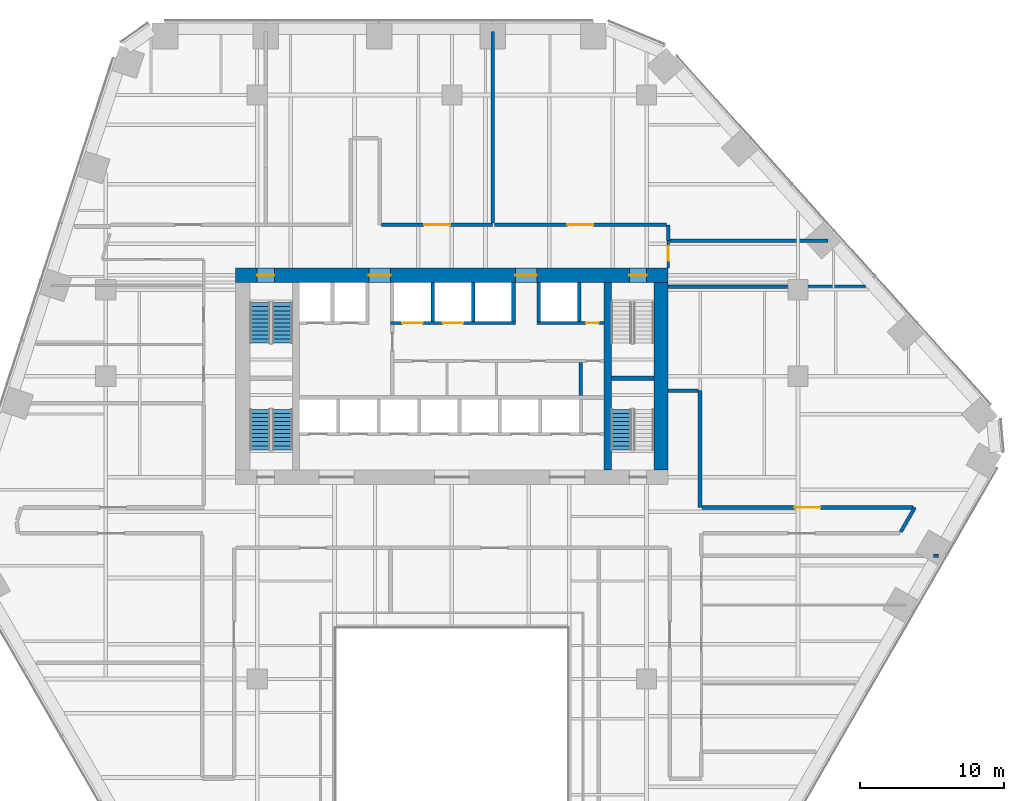
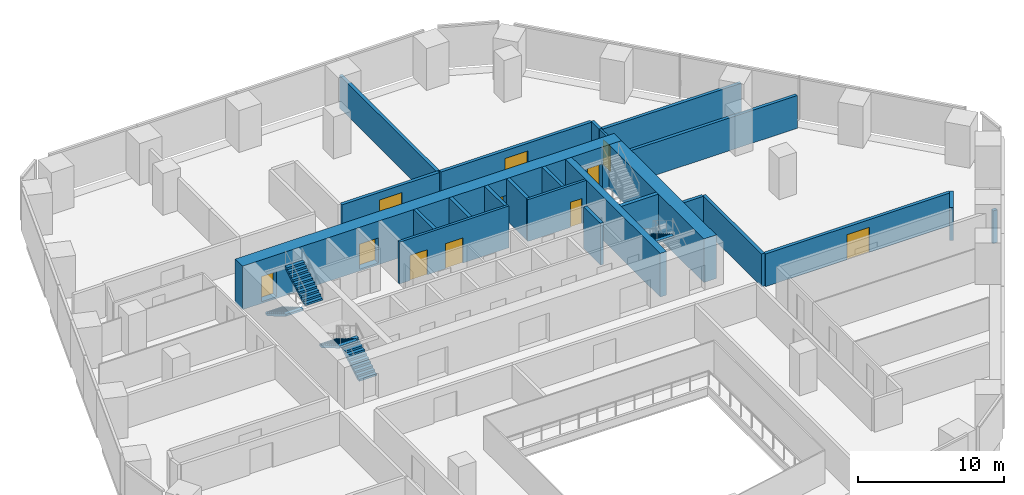
# One storey, part 16 of 20: 24 walls, 11 doors, 5 stair flights, 11 openings, 3 elements without a shape of their own.
"""IFC4 building model written with IfcOpenShell, lengths in metres."""

from ifc_helpers import new_model, si_unit, direction, frame, frame_2d, origin, place, context, subcontext, project, spatial, polyline, rectangle, outline, extrude, material, layer, layer_set, type_object, element, fill, aggregate, save


model = new_model("IFC4")

# Units and contexts
model_context = context("Model", 3, precision=1e-05, world=origin(), true_north=direction((0.0, 1.0)))
body_context = subcontext(model_context, "Body", "Model", "MODEL_VIEW")
ifc_project = project(units=[si_unit("LENGTHUNIT", "METRE"), si_unit("AREAUNIT", "SQUARE_METRE"), si_unit("VOLUMEUNIT", "CUBIC_METRE"), si_unit("PLANEANGLEUNIT", "RADIAN"), si_unit("MASSUNIT", "GRAM", prefix="KILO")], contexts=[model_context])

# Site, building, storey
site_placement = place(None, origin())
site = spatial("IfcSite", under=ifc_project, at=site_placement, CompositionType="ELEMENT")
building_placement = place(site_placement, origin())
building = spatial("IfcBuilding", under=site, at=building_placement, Name="Isthmus Gate Tower", CompositionType="ELEMENT")
storey_placement = place(building_placement, frame((0.0, 0.0, 57.89990234375)))
storey = spatial("IfcBuildingStorey", under=building, at=storey_placement, Name="L12", CompositionType="ELEMENT", Elevation=57.89990234375)

# Walls
ifc_material_1 = material(Name="Double-leaf acoustic stud wall, fire-rated", Category="gypsum")
ifc_layer_1 = layer(ifc_material_1, 0.25)
ifc_layer_set_1 = layer_set([ifc_layer_1], Name="ACOUSTIC WALL 250 60 MIN")
wall_type_1 = type_object("IfcWallType", Name="ACOUSTIC WALL 250 60 MIN", PredefinedType="PARTITIONING", material=ifc_layer_set_1)
wall_1_placement = place(storey_placement, frame((15.0, 18.0, 0.0), z_axis=(0.0, 0.0, 1.0), x_axis=(0.0, -1.0, 0.0)))
element("IfcWall", 1, at=wall_1_placement, inside=storey, type_object=wall_type_1, Name="L12 Acoustic Wall 250 60 Min", PredefinedType="PARTITIONING", context=body_context, shape_type="SweptSolid", body=[
    extrude(rectangle(XDim=1.10009765625, YDim=0.25, at=frame_2d((0.550048828125, 0.0))), origin(), (0.0, 0.0, 1.0), 2.7412109375),
])
wall_2_placement = place(storey_placement, frame((17.199951171875, 6.5, 0.0), z_axis=(0.0, 0.0, 1.0), x_axis=(0.0, -1.0, 0.0)))
element("IfcWall", 2, at=wall_2_placement, inside=storey, type_object=wall_type_1, Name="L12 Acoustic Wall 250 60 Min", PredefinedType="PARTITIONING", context=body_context, shape_type="SweptSolid", body=[
    extrude(rectangle(XDim=8.10009765625, YDim=0.25, at=frame_2d((4.050048828125, 0.0))), origin(), (0.0, 0.0, 1.0), 2.7412109375),
])
wall_3_placement = place(storey_placement, frame((32.10107421875, -1.60009765625, 0.0), z_axis=(0.0, 0.0, 1.0), x_axis=(-0.500331725305, -0.865833797362, 0.0)))
element("IfcWall", 3, at=wall_3_placement, inside=storey, type_object=wall_type_1, Name="L12 Acoustic Wall 250 60 Min", PredefinedType="PARTITIONING", context=body_context, shape_type="SweptSolid", body=[
    extrude(rectangle(XDim=1.953857421875, YDim=0.25, at=frame_2d((0.97705078125, 0.0))), origin(), (0.0, 0.0, 1.0), 2.7412109375),
])

# Wall, opening, door
wall_4_placement = place(storey_placement, frame((-4.875, 18.0, 0.0), z_axis=(0.0, 0.0, 1.0), x_axis=(1.0, 0.0, 0.0)))
wall_4 = element("IfcWall", 4, at=wall_4_placement, inside=storey, type_object=wall_type_1, Name="L12 Acoustic Wall 250 60 Min", PredefinedType="PARTITIONING", context=body_context, shape_type="SweptSolid", body=[
    extrude(rectangle(XDim=7.70703125, YDim=0.25, at=frame_2d((3.853515625, 0.0))), origin(), (0.0, 0.0, 1.0), 2.7412109375),
])
opening_1_placement = place(wall_4_placement, frame((2.95361328125, 0.0, 0.0)))
opening_1 = element("IfcOpeningElement", 5, at=opening_1_placement, cuts=wall_4, Name="Opening DT-T1C-02", PredefinedType="OPENING", context=body_context, shape_type="SweptSolid", body=[
    extrude(rectangle(XDim=1.800048828125, YDim=2.10009765625, at=frame_2d((0.89990234375, 1.050048828125))), frame((0.0, 0.135009765625, 0.0), z_axis=(0.0, -1.0, 0.0), x_axis=(1.0, 0.0, 0.0)), (0.0, 0.0, 1.0), 0.27001953125),
])
ifc_material_2 = material(Name="Solid core timber door leaf, fire-rated", Category="wood")
door_type_1 = type_object("IfcDoorType", Name="FIRE DOOR ACOUSTIC ROOM 1800 X 2100 60 MIN", OperationType="DOUBLE_DOOR_DOUBLE_SWING", PredefinedType="DOOR", material=ifc_material_2)
door_1_placement = place(opening_1_placement, origin())
door_1 = element("IfcDoor", 6, at=door_1_placement, inside=storey, type_object=door_type_1, Name="L12 room door", OperationType="DOUBLE_DOOR_DOUBLE_SWING", OverallHeight=2.10009765625, OverallWidth=1.800048828125, PredefinedType="DOOR", context=body_context, shape_type="SweptSolid", body=[
    extrude(rectangle(XDim=1.800048828125, YDim=2.10009765625, at=frame_2d((0.89990234375, 1.050048828125))), frame((0.0, 0.02490234375, 0.0), z_axis=(0.0, -1.0, 0.0), x_axis=(1.0, 0.0, 0.0)), (0.0, 0.0, 1.0), 0.050048828125),
])
fill(opening_1, door_1)

# Wall
wall_5_placement = place(storey_placement, frame((2.83203125, 18.125, 0.0), z_axis=(0.0, 0.0, 1.0), x_axis=(0.0, 1.0, 0.0)))
element("IfcWall", 7, at=wall_5_placement, inside=storey, type_object=wall_type_1, Name="L12 Acoustic Wall 250 60 Min", PredefinedType="PARTITIONING", context=body_context, shape_type="SweptSolid", body=[
    extrude(rectangle(XDim=13.27490234375, YDim=0.25, at=frame_2d((6.637451171875, 0.0))), origin(), (0.0, 0.0, 1.0), 2.7412109375),
])

# Wall, opening, door
wall_6_placement = place(storey_placement, frame((2.95703125, 18.0, 0.0), z_axis=(0.0, 0.0, 1.0), x_axis=(1.0, 0.0, 0.0)))
wall_6 = element("IfcWall", 8, at=wall_6_placement, inside=storey, type_object=wall_type_1, Name="L12 Acoustic Wall 250 60 Min", PredefinedType="PARTITIONING", context=body_context, shape_type="SweptSolid", body=[
    extrude(rectangle(XDim=11.91796875, YDim=0.25, at=frame_2d((5.958984375, 0.0))), origin(), (0.0, 0.0, 1.0), 2.7412109375),
])
opening_2_placement = place(wall_6_placement, frame((5.05908203125, 0.0, 0.0)))
opening_2 = element("IfcOpeningElement", 9, at=opening_2_placement, cuts=wall_6, Name="Opening DT-T1C-03", PredefinedType="OPENING", context=body_context, shape_type="SweptSolid", body=[
    extrude(rectangle(XDim=1.800048828125, YDim=2.10009765625, at=frame_2d((0.89990234375, 1.050048828125))), frame((0.0, 0.135009765625, 0.0), z_axis=(0.0, -1.0, 0.0), x_axis=(1.0, 0.0, 0.0)), (0.0, 0.0, 1.0), 0.27001953125),
])
door_2_placement = place(opening_2_placement, origin())
door_2 = element("IfcDoor", 10, at=door_2_placement, inside=storey, type_object=door_type_1, Name="L12 room door", OperationType="DOUBLE_DOOR_DOUBLE_SWING", OverallHeight=2.10009765625, OverallWidth=1.800048828125, PredefinedType="DOOR", context=body_context, shape_type="SweptSolid", body=[
    extrude(rectangle(XDim=1.800048828125, YDim=2.10009765625, at=frame_2d((0.89990234375, 1.050048828125))), frame((0.0, 0.02490234375, 0.0), z_axis=(0.0, -1.0, 0.0), x_axis=(1.0, 0.0, 0.0)), (0.0, 0.0, 1.0), 0.050048828125),
])
fill(opening_2, door_2)

# Walls
wall_7_placement = place(storey_placement, frame((15.125, 16.89990234375, 0.0), z_axis=(0.0, 0.0, 1.0), x_axis=(1.0, 0.0, 0.0)))
element("IfcWall", 11, at=wall_7_placement, inside=storey, type_object=wall_type_1, Name="L12 Acoustic Wall 250 60 Min", PredefinedType="PARTITIONING", context=body_context, shape_type="SweptSolid", body=[
    extrude(rectangle(XDim=10.969970703125, YDim=0.25, at=frame_2d((5.48486328125, 0.0))), origin(), (0.0, 0.0, 1.0), 2.7412109375),
])
wall_8_placement = place(storey_placement, frame((15.0, 13.708984375, 0.0), z_axis=(0.0, 0.0, 1.0), x_axis=(1.0, 0.0, 0.0)))
element("IfcWall", 12, at=wall_8_placement, inside=storey, type_object=wall_type_1, Name="L12 Acoustic Wall 250 60 Min", PredefinedType="PARTITIONING", context=body_context, shape_type="SweptSolid", body=[
    extrude(rectangle(XDim=13.66796875, YDim=0.25, at=frame_2d((6.833984375, 0.0))), origin(), (0.0, 0.0, 1.0), 2.7412109375),
])
wall_9_placement = place(storey_placement, frame((15.0, 6.5, 0.0), z_axis=(0.0, 0.0, 1.0), x_axis=(1.0, 0.0, 0.0)))
element("IfcWall", 13, at=wall_9_placement, inside=storey, type_object=wall_type_1, Name="L12 Acoustic Wall 250 60 Min", PredefinedType="PARTITIONING", context=body_context, shape_type="SweptSolid", body=[
    extrude(rectangle(XDim=2.074951171875, YDim=0.25, at=frame_2d((1.03759765625, 0.0))), origin(), (0.0, 0.0, 1.0), 2.7412109375),
])

# Wall, opening, door
wall_10_placement = place(storey_placement, frame((17.324951171875, -1.60009765625, 0.0), z_axis=(0.0, 0.0, 1.0), x_axis=(1.0, 0.0, 0.0)))
wall_10 = element("IfcWall", 14, at=wall_10_placement, inside=storey, type_object=wall_type_1, Name="L12 Acoustic Wall 250 60 Min", PredefinedType="PARTITIONING", context=body_context, shape_type="SweptSolid", body=[
    extrude(rectangle(XDim=14.631591796875, YDim=0.25, at=frame_2d((7.31591796875, 0.0))), origin(), (0.0, 0.0, 1.0), 2.7412109375),
])
opening_3_placement = place(wall_10_placement, frame((6.425537109375, 0.0, 0.0)))
opening_3 = element("IfcOpeningElement", 15, at=opening_3_placement, cuts=wall_10, Name="Opening DT-T1C-08", PredefinedType="OPENING", context=body_context, shape_type="SweptSolid", body=[
    extrude(rectangle(XDim=1.800048828125, YDim=2.10009765625, at=frame_2d((0.89990234375, 1.050048828125))), frame((0.0, 0.135009765625, 0.0), z_axis=(0.0, -1.0, 0.0), x_axis=(1.0, 0.0, 0.0)), (0.0, 0.0, 1.0), 0.27001953125),
])
door_3_placement = place(opening_3_placement, origin())
door_3 = element("IfcDoor", 16, at=door_3_placement, inside=storey, type_object=door_type_1, Name="L12 room door", OperationType="DOUBLE_DOOR_DOUBLE_SWING", OverallHeight=2.10009765625, OverallWidth=1.800048828125, PredefinedType="DOOR", context=body_context, shape_type="SweptSolid", body=[
    extrude(rectangle(XDim=1.800048828125, YDim=2.10009765625, at=frame_2d((0.89990234375, 1.050048828125))), frame((0.0, 0.02490234375, 0.0), z_axis=(0.0, -1.0, 0.0), x_axis=(1.0, 0.0, 0.0)), (0.0, 0.0, 1.0), 0.050048828125),
])
fill(opening_3, door_3)

# Wall
wall_11_placement = place(storey_placement, frame((33.39794921875, -4.949951171875, 0.0), z_axis=(0.0, 0.0, 1.0), x_axis=(1.0, 0.0, 0.0)))
element("IfcWall", 17, at=wall_11_placement, inside=storey, type_object=wall_type_1, Name="L12 Acoustic Wall 250 60 Min", PredefinedType="PARTITIONING", context=body_context, shape_type="SweptSolid", body=[
    extrude(rectangle(XDim=0.3349609375, YDim=0.25, at=frame_2d((0.16748046875, 0.0))), origin(), (0.0, 0.0, 1.0), 2.7412109375),
])

# Wall, opening, door
ifc_material_3 = material(Name="Gypsum board on steel studs, fire-rated", Category="steel")
ifc_layer_2 = layer(ifc_material_3, 0.14990234375)
ifc_layer_set_2 = layer_set([ifc_layer_2], Name="CORRIDOR WALL 150 60 MIN")
wall_type_2 = type_object("IfcWallType", Name="CORRIDOR WALL 150 60 MIN", PredefinedType="PARTITIONING", material=ifc_layer_set_2)
wall_12_placement = place(storey_placement, frame((15.0, 16.89990234375, 0.0), z_axis=(0.0, 0.0, 1.0), x_axis=(0.0, -1.0, 0.0)))
wall_12 = element("IfcWall", 18, at=wall_12_placement, inside=storey, type_object=wall_type_2, Name="L12 Corridor Wall 150 60 Min", PredefinedType="PARTITIONING", context=body_context, shape_type="SweptSolid", body=[
    extrude(rectangle(XDim=1.89990234375, YDim=0.14990234375, at=frame_2d((0.949951171875, 0.0))), origin(), (0.0, 0.0, 1.0), 2.7412109375),
])
opening_4_placement = place(wall_12_placement, frame((0.402587890625, 0.0, 0.0)))
opening_4 = element("IfcOpeningElement", 19, at=opening_4_placement, cuts=wall_12, Name="Opening DT-T1C-05", PredefinedType="OPENING", context=body_context, shape_type="SweptSolid", body=[
    extrude(rectangle(XDim=1.0, YDim=2.10009765625, at=frame_2d((0.5, 1.050048828125))), frame((0.0, 0.0849609375, 0.0), z_axis=(0.0, -1.0, 0.0), x_axis=(1.0, 0.0, 0.0)), (0.0, 0.0, 1.0), 0.169921875),
])
ifc_material_4 = material(Name="Solid core timber door leaf, fire-rated", Category="wood")
door_type_2 = type_object("IfcDoorType", Name="FIRE DOOR ROOM 1000 X 2100 60 MIN", OperationType="SINGLE_SWING_LEFT", PredefinedType="DOOR", material=ifc_material_4)
door_4_placement = place(opening_4_placement, origin())
door_4 = element("IfcDoor", 20, at=door_4_placement, inside=storey, type_object=door_type_2, Name="L12 room door", OperationType="SINGLE_SWING_LEFT", OverallHeight=2.10009765625, OverallWidth=1.0, PredefinedType="DOOR", context=body_context, shape_type="SweptSolid", body=[
    extrude(rectangle(XDim=1.0, YDim=2.10009765625, at=frame_2d((0.5, 1.050048828125))), frame((0.0, 0.02490234375, 0.0), z_axis=(0.0, -1.0, 0.0), x_axis=(1.0, 0.0, 0.0)), (0.0, 0.0, 1.0), 0.050048828125),
])
fill(opening_4, door_4)

# Wall
ifc_material_5 = material(Name="Concrete f'c 70 MPa", Category="concrete")
ifc_layer_3 = layer(ifc_material_5, 0.5)
ifc_layer_set_3 = layer_set([ifc_layer_3], Name="RC CORE SPINE WALL 500 F'C 70")
wall_type_3 = type_object("IfcWallType", Name="RC CORE SPINE WALL 500 F'C 70", PredefinedType="SOLIDWALL", material=ifc_layer_set_3)
wall_13_placement = place(storey_placement, frame((10.800048828125, 1.0, -0.14990234375), z_axis=(0.0, 0.0, 1.0), x_axis=(0.0, 1.0, 0.0)))
element("IfcWall", 21, at=wall_13_placement, inside=storey, type_object=wall_type_3, Name="str-corewall-L12-SPE", PredefinedType="SOLIDWALL", context=body_context, shape_type="SweptSolid", body=[
    extrude(rectangle(XDim=13.0, YDim=0.5, at=frame_2d((6.5, 0.0))), origin(), (0.0, 0.0, 1.0), 3.64990234375),
])

# Wall, openings, doors
ifc_material_6 = material(Name="Concrete f'c 70 MPa", Category="concrete")
ifc_layer_4 = layer(ifc_material_6, 1.0)
ifc_layer_set_4 = layer_set([ifc_layer_4], Name="RC CORE WALL 1000 F'C 70")
wall_type_4 = type_object("IfcWallType", Name="RC CORE WALL 1000 F'C 70", PredefinedType="SOLIDWALL", material=ifc_layer_set_4)
wall_14_placement = place(storey_placement, frame((-15.0, 14.5, -0.14990234375), z_axis=(0.0, 0.0, 1.0), x_axis=(1.0, 0.0, 0.0)))
wall_14 = element("IfcWall", 22, at=wall_14_placement, inside=storey, type_object=wall_type_4, Name="str-corewall-L12-N", PredefinedType="SOLIDWALL", context=body_context, shape_type="SweptSolid", body=[
    extrude(rectangle(XDim=30.0, YDim=1.0, at=frame_2d((15.0, 0.0))), origin(), (0.0, 0.0, 1.0), 3.64990234375),
])
opening_5_placement = place(wall_14_placement, frame((9.25, 0.0, 0.14990234375)))
opening_5 = element("IfcOpeningElement", 23, at=opening_5_placement, cuts=wall_14, Name="Opening DC-A05-11", PredefinedType="OPENING", context=body_context, shape_type="SweptSolid", body=[
    extrude(rectangle(XDim=1.5, YDim=2.10009765625, at=frame_2d((0.75, 1.050048828125))), frame((0.0, 0.510009765625, 0.0), z_axis=(0.0, -1.0, 0.0), x_axis=(1.0, 0.0, 0.0)), (0.0, 0.0, 1.0), 1.02001953125),
])
opening_6_placement = place(wall_14_placement, frame((19.39990234375, 0.0, 0.14990234375)))
opening_6 = element("IfcOpeningElement", 24, at=opening_6_placement, cuts=wall_14, Name="Opening DC-A05-12", PredefinedType="OPENING", context=body_context, shape_type="SweptSolid", body=[
    extrude(rectangle(XDim=1.5, YDim=2.10009765625, at=frame_2d((0.75, 1.050048828125))), frame((0.0, 0.510009765625, 0.0), z_axis=(0.0, -1.0, 0.0), x_axis=(1.0, 0.0, 0.0)), (0.0, 0.0, 1.0), 1.02001953125),
])
opening_7_placement = place(wall_14_placement, frame((1.5, 0.0, 0.14990234375)))
opening_7 = element("IfcOpeningElement", 25, at=opening_7_placement, cuts=wall_14, Name="Opening DC-A05-13", PredefinedType="OPENING", context=body_context, shape_type="SweptSolid", body=[
    extrude(rectangle(XDim=1.199951171875, YDim=2.10009765625, at=frame_2d((0.60009765625, 1.050048828125))), frame((0.0, 0.510009765625, 0.0), z_axis=(0.0, -1.0, 0.0), x_axis=(1.0, 0.0, 0.0)), (0.0, 0.0, 1.0), 1.02001953125),
])
opening_8_placement = place(wall_14_placement, frame((27.300048828125, 0.0, 0.14990234375)))
opening_8 = element("IfcOpeningElement", 26, at=opening_8_placement, cuts=wall_14, Name="Opening DC-A05-14", PredefinedType="OPENING", context=body_context, shape_type="SweptSolid", body=[
    extrude(rectangle(XDim=1.199951171875, YDim=2.10009765625, at=frame_2d((0.60009765625, 1.050048828125))), frame((0.0, 0.510009765625, 0.0), z_axis=(0.0, -1.0, 0.0), x_axis=(1.0, 0.0, 0.0)), (0.0, 0.0, 1.0), 1.02001953125),
])
ifc_material_7 = material(Name="Steel door leaf, fire-rated", Category="steel")
door_type_3 = type_object("IfcDoorType", Name="LOBBY FIRE DOOR 1500 X 2100 60 MIN", OperationType="DOUBLE_DOOR_SINGLE_SWING", PredefinedType="DOOR", material=ifc_material_7)
door_5_placement = place(opening_6_placement, origin())
door_5 = element("IfcDoor", 27, at=door_5_placement, inside=storey, type_object=door_type_3, Name="Lobby Door PN-E", OperationType="DOUBLE_DOOR_SINGLE_SWING", OverallHeight=2.10009765625, OverallWidth=1.5, PredefinedType="DOOR", context=body_context, shape_type="SweptSolid", body=[
    extrude(rectangle(XDim=1.5, YDim=2.10009765625, at=frame_2d((0.75, 1.050048828125))), frame((0.0, 0.02490234375, 0.0), z_axis=(0.0, -1.0, 0.0), x_axis=(1.0, 0.0, 0.0)), (0.0, 0.0, 1.0), 0.050048828125),
])
fill(opening_6, door_5)
ifc_material_8 = material(Name="Steel door leaf, fire-rated", Category="steel")
door_type_4 = type_object("IfcDoorType", Name="LOBBY FIRE DOOR 1500 X 2100 90 MIN", OperationType="DOUBLE_DOOR_SINGLE_SWING", PredefinedType="DOOR", material=ifc_material_8)
door_6_placement = place(opening_5_placement, origin())
door_6 = element("IfcDoor", 28, at=door_6_placement, inside=storey, type_object=door_type_4, Name="Lobby Door PN-W", OperationType="DOUBLE_DOOR_SINGLE_SWING", OverallHeight=2.10009765625, OverallWidth=1.5, PredefinedType="DOOR", context=body_context, shape_type="SweptSolid", body=[
    extrude(rectangle(XDim=1.5, YDim=2.10009765625, at=frame_2d((0.75, 1.050048828125))), frame((0.0, 0.02490234375, 0.0), z_axis=(0.0, -1.0, 0.0), x_axis=(1.0, 0.0, 0.0)), (0.0, 0.0, 1.0), 0.050048828125),
])
fill(opening_5, door_6)
ifc_material_9 = material(Name="Steel door leaf, fire-rated", Category="steel")
door_type_5 = type_object("IfcDoorType", Name="STAIR FIRE DOOR 1200 X 2100 90 MIN", OperationType="SINGLE_SWING_LEFT", PredefinedType="DOOR", material=ifc_material_9)
door_7_placement = place(opening_7_placement, origin())
door_7 = element("IfcDoor", 29, at=door_7_placement, inside=storey, type_object=door_type_5, Name="Exit Stair 1 Door", OperationType="SINGLE_SWING_RIGHT", OverallHeight=2.10009765625, OverallWidth=1.199951171875, PredefinedType="DOOR", context=body_context, shape_type="SweptSolid", body=[
    extrude(rectangle(XDim=1.199951171875, YDim=2.10009765625, at=frame_2d((0.60009765625, 1.050048828125))), frame((0.0, 0.02490234375, 0.0), z_axis=(0.0, -1.0, 0.0), x_axis=(1.0, 0.0, 0.0)), (0.0, 0.0, 1.0), 0.050048828125),
])
fill(opening_7, door_7)
door_8_placement = place(opening_8_placement, origin())
door_8 = element("IfcDoor", 30, at=door_8_placement, inside=storey, type_object=door_type_5, Name="Exit Stair 2 Door", OperationType="SINGLE_SWING_LEFT", OverallHeight=2.10009765625, OverallWidth=1.199951171875, PredefinedType="DOOR", context=body_context, shape_type="SweptSolid", body=[
    extrude(rectangle(XDim=1.199951171875, YDim=2.10009765625, at=frame_2d((0.60009765625, 1.050048828125))), frame((0.0, 0.02490234375, 0.0), z_axis=(0.0, -1.0, 0.0), x_axis=(1.0, 0.0, 0.0)), (0.0, 0.0, 1.0), 0.050048828125),
])
fill(opening_8, door_8)

# Wall
wall_15_placement = place(storey_placement, frame((14.5, 1.0, -0.14990234375), z_axis=(0.0, 0.0, 1.0), x_axis=(0.0, 1.0, 0.0)))
element("IfcWall", 31, at=wall_15_placement, inside=storey, type_object=wall_type_4, Name="str-corewall-L12-E", PredefinedType="SOLIDWALL", context=body_context, shape_type="SweptSolid", body=[
    extrude(rectangle(XDim=13.0, YDim=1.0, at=frame_2d((6.5, 0.0))), origin(), (0.0, 0.0, 1.0), 3.64990234375),
])

# Wall, openings, doors
ifc_material_10 = material(Name="Fire-rated blockwork masonry, 15 MPa", Category="masonry")
ifc_layer_5 = layer(ifc_material_10, 0.199951171875)
ifc_layer_set_5 = layer_set([ifc_layer_5], Name="SHAFT FRONT WALL 200 120 MIN")
wall_type_5 = type_object("IfcWallType", Name="SHAFT FRONT WALL 200 120 MIN", PredefinedType="PARTITIONING", material=ifc_layer_set_5)
wall_16_placement = place(storey_placement, frame((-4.25, 11.199951171875, 0.0), z_axis=(0.0, 0.0, 1.0), x_axis=(1.0, 0.0, 0.0)))
wall_16 = element("IfcWall", 32, at=wall_16_placement, inside=storey, type_object=wall_type_5, Name="L12 SHAFT FRONT WALL 200 120 MIN", PredefinedType="PARTITIONING", context=body_context, shape_type="SweptSolid", body=[
    extrude(rectangle(XDim=8.64990234375, YDim=0.199951171875, at=frame_2d((4.324951171875, 0.0))), origin(), (0.0, 0.0, 1.0), 3.5),
])
opening_9_placement = place(wall_16_placement, frame((0.824951171875, 0.0, 0.0)))
opening_9 = element("IfcOpeningElement", 33, at=opening_9_placement, cuts=wall_16, Name="Opening LD-LV1", PredefinedType="OPENING", context=body_context, shape_type="SweptSolid", body=[
    extrude(rectangle(XDim=1.39990234375, YDim=2.10009765625, at=frame_2d((0.699951171875, 1.050048828125))), frame((0.0, 0.10986328125, 0.0), z_axis=(0.0, -1.0, 0.0), x_axis=(1.0, 0.0, 0.0)), (0.0, 0.0, 1.0), 0.219970703125),
])
opening_10_placement = place(wall_16_placement, frame((3.625, 0.0, 0.0)))
opening_10 = element("IfcOpeningElement", 34, at=opening_10_placement, cuts=wall_16, Name="Opening LD-LV2", PredefinedType="OPENING", context=body_context, shape_type="SweptSolid", body=[
    extrude(rectangle(XDim=1.39990234375, YDim=2.10009765625, at=frame_2d((0.699951171875, 1.050048828125))), frame((0.0, 0.10986328125, 0.0), z_axis=(0.0, -1.0, 0.0), x_axis=(1.0, 0.0, 0.0)), (0.0, 0.0, 1.0), 0.219970703125),
])
ifc_material_11 = material(Name="Stainless steel sliding leaf", Category="steel")
door_type_6 = type_object("IfcDoorType", Name="LIFT LANDING FIRE DOOR 1400 X 2100 90 MIN", OperationType="DOUBLE_DOOR_SLIDING", PredefinedType="DOOR", material=ifc_material_11)
door_9_placement = place(opening_9_placement, origin())
door_9 = element("IfcDoor", 35, at=door_9_placement, inside=storey, type_object=door_type_6, Name="Lift Landing Door LV1", OperationType="DOUBLE_DOOR_SLIDING", OverallHeight=2.10009765625, OverallWidth=1.39990234375, PredefinedType="DOOR", context=body_context, shape_type="SweptSolid", body=[
    extrude(rectangle(XDim=1.39990234375, YDim=2.10009765625, at=frame_2d((0.699951171875, 1.050048828125))), frame((0.0, 0.02490234375, 0.0), z_axis=(0.0, -1.0, 0.0), x_axis=(1.0, 0.0, 0.0)), (0.0, 0.0, 1.0), 0.050048828125),
])
fill(opening_9, door_9)
door_10_placement = place(opening_10_placement, origin())
door_10 = element("IfcDoor", 36, at=door_10_placement, inside=storey, type_object=door_type_6, Name="Lift Landing Door LV2", OperationType="DOUBLE_DOOR_SLIDING", OverallHeight=2.10009765625, OverallWidth=1.39990234375, PredefinedType="DOOR", context=body_context, shape_type="SweptSolid", body=[
    extrude(rectangle(XDim=1.39990234375, YDim=2.10009765625, at=frame_2d((0.699951171875, 1.050048828125))), frame((0.0, 0.02490234375, 0.0), z_axis=(0.0, -1.0, 0.0), x_axis=(1.0, 0.0, 0.0)), (0.0, 0.0, 1.0), 0.050048828125),
])
fill(opening_10, door_10)

# Wall, opening, door
wall_17_placement = place(storey_placement, frame((5.89990234375, 11.199951171875, 0.0), z_axis=(0.0, 0.0, 1.0), x_axis=(1.0, 0.0, 0.0)))
wall_17 = element("IfcWall", 37, at=wall_17_placement, inside=storey, type_object=wall_type_5, Name="L12 SHAFT FRONT WALL 200 120 MIN", PredefinedType="PARTITIONING", context=body_context, shape_type="SweptSolid", body=[
    extrude(rectangle(XDim=4.650146484375, YDim=0.199951171875, at=frame_2d((2.3251953125, 0.0))), origin(), (0.0, 0.0, 1.0), 3.5),
])
opening_11_placement = place(wall_17_placement, frame((3.39990234375, 0.0, 0.0)))
opening_11 = element("IfcOpeningElement", 38, at=opening_11_placement, cuts=wall_17, Name="Opening DC-A05-07", PredefinedType="OPENING", context=body_context, shape_type="SweptSolid", body=[
    extrude(rectangle(XDim=0.89990234375, YDim=2.10009765625, at=frame_2d((0.449951171875, 1.050048828125))), frame((0.0, 0.10986328125, 0.0), z_axis=(0.0, -1.0, 0.0), x_axis=(1.0, 0.0, 0.0)), (0.0, 0.0, 1.0), 0.219970703125),
])
ifc_material_12 = material(Name="Steel door leaf, fire-rated", Category="steel")
door_type_7 = type_object("IfcDoorType", Name="RISER FIRE DOOR 900 X 2100 90 MIN", OperationType="SINGLE_SWING_LEFT", PredefinedType="DOOR", material=ifc_material_12)
door_11_placement = place(opening_11_placement, origin())
door_11 = element("IfcDoor", 39, at=door_11_placement, inside=storey, type_object=door_type_7, Name="Riser Door", OperationType="SINGLE_SWING_LEFT", OverallHeight=2.10009765625, OverallWidth=0.89990234375, PredefinedType="DOOR", context=body_context, shape_type="SweptSolid", body=[
    extrude(rectangle(XDim=0.89990234375, YDim=2.10009765625, at=frame_2d((0.449951171875, 1.050048828125))), frame((0.0, 0.02490234375, 0.0), z_axis=(0.0, -1.0, 0.0), x_axis=(1.0, 0.0, 0.0)), (0.0, 0.0, 1.0), 0.050048828125),
])
fill(opening_11, door_11)

# Walls
ifc_material_13 = material(Name="Fire-rated blockwork masonry, 15 MPa", Category="masonry")
ifc_layer_6 = layer(ifc_material_13, 0.25)
ifc_layer_set_6 = layer_set([ifc_layer_6], Name="SHAFT WALL 250 120 MIN")
wall_type_6 = type_object("IfcWallType", Name="SHAFT WALL 250 120 MIN", PredefinedType="PARTITIONING", material=ifc_layer_set_6)
wall_18_placement = place(storey_placement, frame((8.925048828125, 6.14990234375, 0.0), z_axis=(0.0, 0.0, 1.0), x_axis=(0.0, 1.0, 0.0)))
element("IfcWall", 40, at=wall_18_placement, inside=storey, type_object=wall_type_6, Name="L12 SHAFT WALL 250 120 MIN", PredefinedType="PARTITIONING", context=body_context, shape_type="SweptSolid", body=[
    extrude(rectangle(XDim=2.300048828125, YDim=0.25, at=frame_2d((1.14990234375, 0.0))), origin(), (0.0, 0.0, 1.0), 3.5),
])
for number, where, z_axis, x_axis, name in (
    (41, (-1.324951171875, 11.300048828125, 0.0), (0.0, 0.0, 1.0), (0.0, 1.0, 0.0), "L12 SHAFT WALL 250 120 MIN"),
    (42, (1.47509765625, 11.300048828125, 0.0), (0.0, 0.0, 1.0), (0.0, 1.0, 0.0), "L12 SHAFT WALL 250 120 MIN"),
    (43, (4.27490234375, 11.300048828125, 0.0), (0.0, 0.0, 1.0), (0.0, 1.0, 0.0), "L12 SHAFT WALL 250 120 MIN"),
    (44, (6.02490234375, 11.300048828125, 0.0), (0.0, 0.0, 1.0), (0.0, 1.0, 0.0), "L12 SHAFT WALL 250 120 MIN"),
    (45, (8.824951171875, 11.300048828125, 0.0), (0.0, 0.0, 1.0), (0.0, 1.0, 0.0), "L12 SHAFT WALL 250 120 MIN"),
):
    element("IfcWall", number, at=place(storey_placement, frame(where, z_axis=z_axis, x_axis=x_axis)), inside=storey, type_object=wall_type_6, Name=name, PredefinedType="PARTITIONING", context=body_context, shape_type="SweptSolid", body=[
        extrude(rectangle(XDim=2.699951171875, YDim=0.25, at=frame_2d((1.35009765625, 0.0))), origin(), (0.0, 0.0, 1.0), 3.5),
    ])
ifc_material_14 = material(Name="Concrete f'c 40 MPa", Category="concrete")
ifc_layer_7 = layer(ifc_material_14, 0.300048828125)
ifc_layer_set_7 = layer_set([ifc_layer_7], Name="STAIR ENCLOSURE WALL 300 180 MIN")
wall_type_7 = type_object("IfcWallType", Name="STAIR ENCLOSURE WALL 300 180 MIN", PredefinedType="SOLIDWALL", material=ifc_layer_set_7)
wall_19_placement = place(storey_placement, frame((11.050048828125, 7.35009765625, -0.14990234375), z_axis=(0.0, 0.0, 1.0), x_axis=(1.0, 0.0, 0.0)))
element("IfcWall", 46, at=wall_19_placement, inside=storey, type_object=wall_type_7, Name="L12 STAIR ENCLOSURE WALL 300 180 MIN", PredefinedType="SOLIDWALL", context=body_context, shape_type="SweptSolid", body=[
    extrude(rectangle(XDim=2.949951171875, YDim=0.300048828125, at=frame_2d((1.47509765625, 0.0))), origin(), (0.0, 0.0, 1.0), 3.64990234375),
])

# Stair, stair flights
ifc_material_15 = material(Name="Concrete f'c 40 MPa", Category="concrete")
stair_type = type_object("IfcStairType", Name="CORE STAIR 22 RISERS", PredefinedType="HALF_TURN_STAIR", material=ifc_material_15)
stair_1_placement = place(storey_placement, origin())
stair_1 = element("IfcStair", 47, at=stair_1_placement, inside=storey, type_object=stair_type, Name="L12 Exit Stair 1", PredefinedType="HALF_TURN_STAIR")
ifc_material_16 = material(Name="Concrete f'c 40 MPa", Category="concrete")
stair_flight_type = type_object("IfcStairFlightType", Name="STAIR FLIGHT RC 1400", PredefinedType="STRAIGHT", material=ifc_material_16)
stair_flight_1_placement = place(storey_placement, frame((-13.300048828125, 12.60009765625, 0.0), z_axis=(0.0, 0.0, 1.0), x_axis=(0.0, -1.0, 0.0)))
stair_flight_1 = element("IfcStairFlight", 48, at=stair_flight_1_placement, type_object=stair_flight_type, Name="ST1 flight 1", NumberOfRisers=11, NumberOfTreads=10, PredefinedType="STRAIGHT", RiserHeight=0.165909091, TreadLength=0.28, context=body_context, shape_type="SweptSolid", body=[
    extrude(outline(polyline([(0.0, 0.0), (0.0, 0.166015625), (0.280029296875, 0.166015625), (0.280029296875, 0.331787109375), (0.56005859375, 0.331787109375), (0.56005859375, 0.497802734375), (0.840087890625, 0.497802734375), (0.840087890625, 0.66357421875), (1.1201171875, 0.66357421875), (1.1201171875, 0.82958984375), (1.39990234375, 0.82958984375), (1.39990234375, 0.995361328125), (1.679931640625, 0.995361328125), (1.679931640625, 1.161376953125), (1.9599609375, 1.161376953125), (1.9599609375, 1.327392578125), (2.239990234375, 1.327392578125), (2.239990234375, 1.4931640625), (2.52001953125, 1.4931640625), (2.52001953125, 1.6591796875), (2.800048828125, 1.6591796875), (2.800048828125, 1.824951171875), (2.800048828125, 1.48486328125), (0.2939453125, 0.0), (0.0, 0.0)])), frame((0.0, 0.699951171875, 0.0), z_axis=(0.0, -1.0, 0.0), x_axis=(1.0, 0.0, 0.0)), (0.0, 0.0, 1.0), 1.39990234375),
])
stair_flight_2_placement = place(storey_placement, frame((-11.75, 9.800048828125, 1.8251953125), z_axis=(0.0, 0.0, 1.0), x_axis=(0.0, 1.0, 0.0)))
stair_flight_2 = element("IfcStairFlight", 49, at=stair_flight_2_placement, type_object=stair_flight_type, Name="ST1 flight 2", NumberOfRisers=11, NumberOfTreads=10, PredefinedType="STRAIGHT", RiserHeight=0.165909091, TreadLength=0.28, context=body_context, shape_type="SweptSolid", body=[
    extrude(outline(polyline([(0.0, 0.0), (0.0, 0.166015625), (0.280029296875, 0.166015625), (0.280029296875, 0.331787109375), (0.56005859375, 0.331787109375), (0.56005859375, 0.497802734375), (0.840087890625, 0.497802734375), (0.840087890625, 0.66357421875), (1.1201171875, 0.66357421875), (1.1201171875, 0.82958984375), (1.39990234375, 0.82958984375), (1.39990234375, 0.995361328125), (1.679931640625, 0.995361328125), (1.679931640625, 1.161376953125), (1.9599609375, 1.161376953125), (1.9599609375, 1.327392578125), (2.239990234375, 1.327392578125), (2.239990234375, 1.4931640625), (2.52001953125, 1.4931640625), (2.52001953125, 1.6591796875), (2.800048828125, 1.6591796875), (2.800048828125, 1.824951171875), (2.800048828125, 1.48486328125), (0.2939453125, 0.0), (0.0, 0.0)])), frame((0.0, 0.699951171875, 0.0), z_axis=(0.0, -1.0, 0.0), x_axis=(1.0, 0.0, 0.0)), (0.0, 0.0, 1.0), 1.39990234375),
])
aggregate(stair_1, [stair_flight_1, stair_flight_2])

stair_2_placement = place(storey_placement, origin())
stair_2 = element("IfcStair", 50, at=stair_2_placement, inside=storey, type_object=stair_type, Name="L12 Exit Stair 7", PredefinedType="HALF_TURN_STAIR")
stair_flight_3_placement = place(storey_placement, frame((-11.75, 2.39990234375, 0.0), z_axis=(0.0, 0.0, 1.0), x_axis=(0.0, 1.0, 0.0)))
stair_flight_3 = element("IfcStairFlight", 51, at=stair_flight_3_placement, type_object=stair_flight_type, Name="ST7 flight 1", NumberOfRisers=11, NumberOfTreads=10, PredefinedType="STRAIGHT", RiserHeight=0.165909091, TreadLength=0.28, context=body_context, shape_type="SweptSolid", body=[
    extrude(outline(polyline([(0.0, 0.0), (0.0, 0.166015625), (0.280029296875, 0.166015625), (0.280029296875, 0.331787109375), (0.56005859375, 0.331787109375), (0.56005859375, 0.497802734375), (0.840087890625, 0.497802734375), (0.840087890625, 0.66357421875), (1.1201171875, 0.66357421875), (1.1201171875, 0.82958984375), (1.39990234375, 0.82958984375), (1.39990234375, 0.995361328125), (1.679931640625, 0.995361328125), (1.679931640625, 1.161376953125), (1.9599609375, 1.161376953125), (1.9599609375, 1.327392578125), (2.239990234375, 1.327392578125), (2.239990234375, 1.4931640625), (2.52001953125, 1.4931640625), (2.52001953125, 1.6591796875), (2.800048828125, 1.6591796875), (2.800048828125, 1.824951171875), (2.800048828125, 1.48486328125), (0.2939453125, 0.0), (0.0, 0.0)])), frame((0.0, 0.699951171875, 0.0), z_axis=(0.0, -1.0, 0.0), x_axis=(1.0, 0.0, 0.0)), (0.0, 0.0, 1.0), 1.39990234375),
])
stair_flight_4_placement = place(storey_placement, frame((-13.300048828125, 5.199951171875, 1.8251953125), z_axis=(0.0, 0.0, 1.0), x_axis=(0.0, -1.0, 0.0)))
stair_flight_4 = element("IfcStairFlight", 52, at=stair_flight_4_placement, type_object=stair_flight_type, Name="ST7 flight 2", NumberOfRisers=11, NumberOfTreads=10, PredefinedType="STRAIGHT", RiserHeight=0.165909091, TreadLength=0.28, context=body_context, shape_type="SweptSolid", body=[
    extrude(outline(polyline([(0.0, 0.0), (0.0, 0.166015625), (0.280029296875, 0.166015625), (0.280029296875, 0.331787109375), (0.56005859375, 0.331787109375), (0.56005859375, 0.497802734375), (0.840087890625, 0.497802734375), (0.840087890625, 0.66357421875), (1.1201171875, 0.66357421875), (1.1201171875, 0.82958984375), (1.39990234375, 0.82958984375), (1.39990234375, 0.995361328125), (1.679931640625, 0.995361328125), (1.679931640625, 1.161376953125), (1.9599609375, 1.161376953125), (1.9599609375, 1.327392578125), (2.239990234375, 1.327392578125), (2.239990234375, 1.4931640625), (2.52001953125, 1.4931640625), (2.52001953125, 1.6591796875), (2.800048828125, 1.6591796875), (2.800048828125, 1.824951171875), (2.800048828125, 1.48486328125), (0.2939453125, 0.0), (0.0, 0.0)])), frame((0.0, 0.699951171875, 0.0), z_axis=(0.0, -1.0, 0.0), x_axis=(1.0, 0.0, 0.0)), (0.0, 0.0, 1.0), 1.39990234375),
])
aggregate(stair_2, [stair_flight_3, stair_flight_4])

# Stair, stair flight
stair_3_placement = place(storey_placement, origin())
stair_3 = element("IfcStair", 53, at=stair_3_placement, inside=storey, type_object=stair_type, Name="L12 Exit Stair 8", PredefinedType="HALF_TURN_STAIR")
stair_flight_5_placement = place(storey_placement, frame((11.75, 5.199951171875, 1.8251953125), z_axis=(0.0, 0.0, 1.0), x_axis=(0.0, -1.0, 0.0)))
stair_flight_5 = element("IfcStairFlight", 54, at=stair_flight_5_placement, type_object=stair_flight_type, Name="ST8 flight 2", NumberOfRisers=11, NumberOfTreads=10, PredefinedType="STRAIGHT", RiserHeight=0.165909091, TreadLength=0.28, context=body_context, shape_type="SweptSolid", body=[
    extrude(outline(polyline([(0.0, 0.0), (0.0, 0.166015625), (0.280029296875, 0.166015625), (0.280029296875, 0.331787109375), (0.56005859375, 0.331787109375), (0.56005859375, 0.497802734375), (0.840087890625, 0.497802734375), (0.840087890625, 0.66357421875), (1.1201171875, 0.66357421875), (1.1201171875, 0.82958984375), (1.39990234375, 0.82958984375), (1.39990234375, 0.995361328125), (1.679931640625, 0.995361328125), (1.679931640625, 1.161376953125), (1.9599609375, 1.161376953125), (1.9599609375, 1.327392578125), (2.239990234375, 1.327392578125), (2.239990234375, 1.4931640625), (2.52001953125, 1.4931640625), (2.52001953125, 1.6591796875), (2.800048828125, 1.6591796875), (2.800048828125, 1.824951171875), (2.800048828125, 1.48486328125), (0.2939453125, 0.0), (0.0, 0.0)])), frame((0.0, 0.699951171875, 0.0), z_axis=(0.0, -1.0, 0.0), x_axis=(1.0, 0.0, 0.0)), (0.0, 0.0, 1.0), 1.39990234375),
])
aggregate(stair_3, [stair_flight_5])

save(model, "model.ifc")
